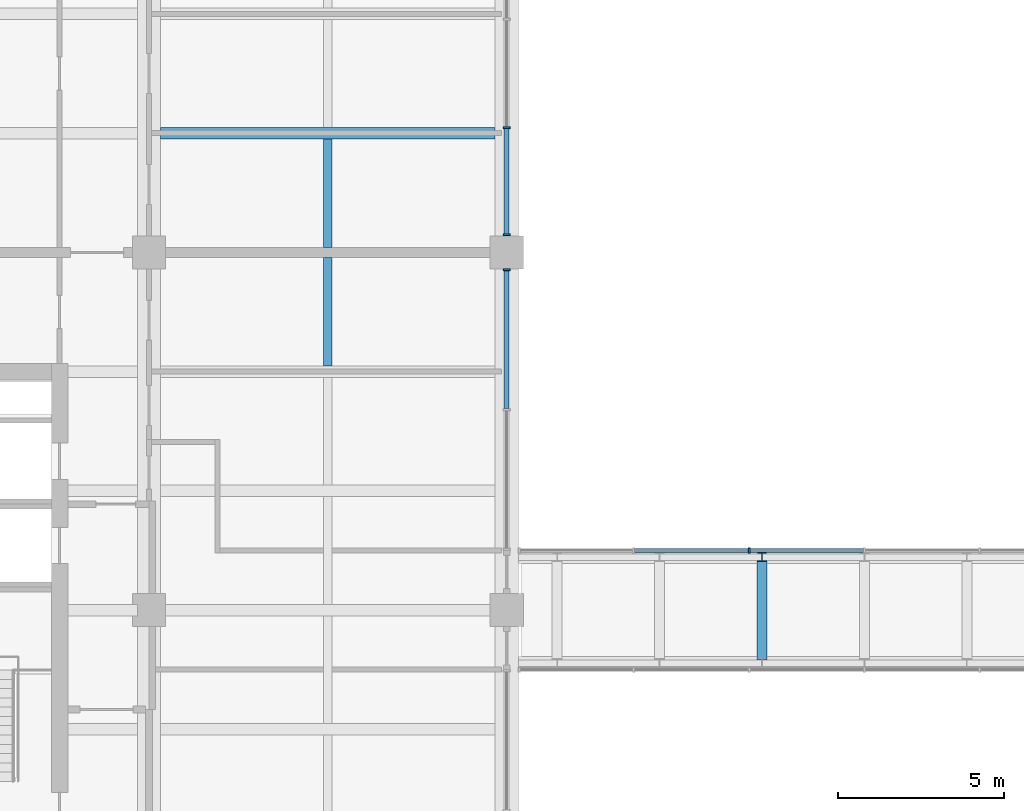
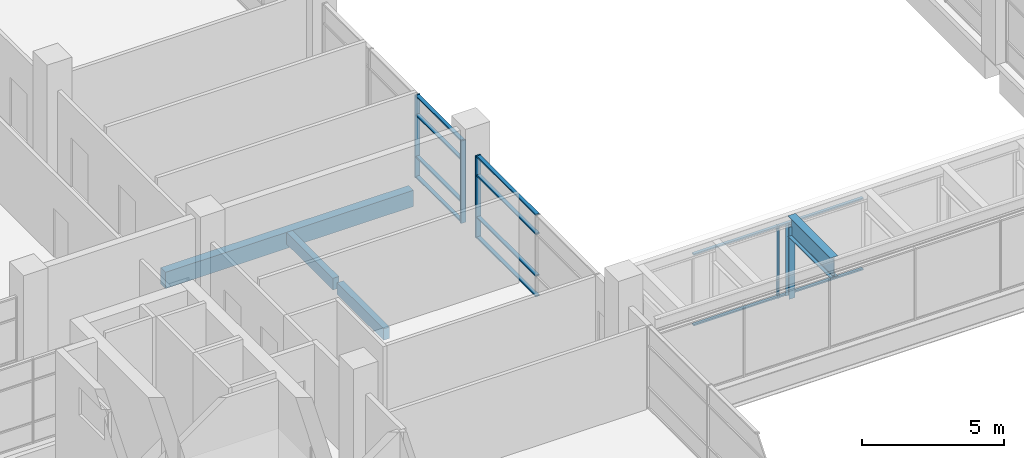
# One storey, part 10 of 35: 18 members, 3 beams, 3 elements without a shape of their own.
"""IFC4 building model written with IfcOpenShell, lengths in metres."""

from ifc_helpers import new_model, si_unit, direction, frame, origin, origin_2d, place, context, subcontext, project, spatial, rectangle, i_section, extrude, material, layer, layer_set, material_profile, profile_set, type_object, element, aggregate, save


model = new_model("IFC4")

# Units and contexts
model_context = context("Model", 3, precision=1e-05, world=origin(), true_north=direction((0.0, 1.0)))
body_context = subcontext(model_context, "Body", "Model", "MODEL_VIEW")
ifc_project = project(units=[si_unit("LENGTHUNIT", "METRE"), si_unit("AREAUNIT", "SQUARE_METRE"), si_unit("VOLUMEUNIT", "CUBIC_METRE"), si_unit("PLANEANGLEUNIT", "RADIAN"), si_unit("MASSUNIT", "GRAM", prefix="KILO")], contexts=[model_context])

# Site, building, storey
site_placement = place(None, origin())
site = spatial("IfcSite", under=ifc_project, at=site_placement, CompositionType="ELEMENT")
building_placement = place(site_placement, origin())
building = spatial("IfcBuilding", under=site, at=building_placement, Name="Basin Gate Institute", CompositionType="ELEMENT")
storey_placement = place(building_placement, frame((0.0, 0.0, 31.800048828125)))
storey = spatial("IfcBuildingStorey", under=building, at=storey_placement, Name="L06", CompositionType="ELEMENT", Elevation=31.800048828125)

# Curtain wall, members
ifc_material_1 = material(Name="Aluminium and glass curtain wall", Category="aluminium")
ifc_layer_1 = layer(ifc_material_1, 0.14990234375)
ifc_layer_set_1 = layer_set([ifc_layer_1], Name="Atrium curtain wall CW81")
curtain_wall_type_1 = type_object("IfcCurtainWallType", Name="Atrium curtain wall CW81", PredefinedType="NOTDEFINED", material=ifc_layer_set_1)
curtain_wall_1_placement = place(storey_placement, origin())
curtain_wall_1 = element("IfcCurtainWall", 1, at=curtain_wall_1_placement, inside=storey, type_object=curtain_wall_type_1, material=ifc_layer_set_1, Name="Bridge glazed enclosure L06 2", PredefinedType="NOTDEFINED")
ifc_material_2 = material(Name="Aluminium mullion", Category="aluminium")
ifc_material_profile_1 = material_profile(ifc_material_2, rectangle(XDim=0.159912109375, YDim=0.06005859375, at=origin_2d()), Name="Atrium mullion MU81 160 x 60")
ifc_profile_set_1 = profile_set([ifc_material_profile_1], Name="Aluminium mullion")
member_type_1 = type_object("IfcMemberType", Name="Atrium mullion MU81", PredefinedType="MULLION", material=ifc_profile_set_1)
member_1_placement = place(storey_placement, frame((86.5166015625, 69.300048828125, 0.0), z_axis=(0.0, 0.0, 1.0), x_axis=(0.0, 1.0, 0.0)))
member_1 = element("IfcMember", 2, at=member_1_placement, type_object=member_type_1, material=ifc_profile_set_1, Name="CW81 mullion 3", PredefinedType="MULLION", context=body_context, shape_type="SweptSolid", body=[
    extrude(rectangle(XDim=0.159912109375, YDim=0.06005859375, at=origin_2d()), origin(), (0.0, 0.0, 1.0), 3.099853515625),
])
ifc_material_3 = material(Name="Aluminium transom", Category="aluminium")
ifc_material_profile_2 = material_profile(ifc_material_3, rectangle(XDim=0.1201171875, YDim=0.06005859375, at=origin_2d()), Name="Atrium transom TR81 120 x 60")
ifc_profile_set_2 = profile_set([ifc_material_profile_2], Name="Aluminium transom")
member_type_2 = type_object("IfcMemberType", Name="Atrium transom TR81", PredefinedType="USERDEFINED", material=ifc_profile_set_2)
member_2_placement = place(storey_placement, frame((83.063232421875, 69.300048828125, 0.030029296875), z_axis=(1.0, 0.0, 0.0), x_axis=(0.0, 1.0, 0.0)))
member_2 = element("IfcMember", 3, at=member_2_placement, type_object=member_type_2, material=ifc_profile_set_2, Name="CW81 transom 2.1", ObjectType="TRANSOM", PredefinedType="USERDEFINED", context=body_context, shape_type="SweptSolid", body=[
    extrude(rectangle(XDim=0.1201171875, YDim=0.06005859375, at=origin_2d()), origin(), (0.0, 0.0, 1.0), 3.42333984375),
])
member_3_placement = place(storey_placement, frame((83.063232421875, 69.300048828125, 3.070068359375), z_axis=(1.0, 0.0, 0.0), x_axis=(0.0, 1.0, 0.0)))
member_3 = element("IfcMember", 4, at=member_3_placement, type_object=member_type_2, material=ifc_profile_set_2, Name="CW81 transom 2.2", ObjectType="TRANSOM", PredefinedType="USERDEFINED", context=body_context, shape_type="SweptSolid", body=[
    extrude(rectangle(XDim=0.1201171875, YDim=0.06005859375, at=origin_2d()), origin(), (0.0, 0.0, 1.0), 3.42333984375),
])
member_4_placement = place(storey_placement, frame((86.546630859375, 69.300048828125, 0.030029296875), z_axis=(1.0, 0.0, 0.0), x_axis=(0.0, 1.0, 0.0)))
member_4 = element("IfcMember", 5, at=member_4_placement, type_object=member_type_2, material=ifc_profile_set_2, Name="CW81 transom 3.1", ObjectType="TRANSOM", PredefinedType="USERDEFINED", context=body_context, shape_type="SweptSolid", body=[
    extrude(rectangle(XDim=0.1201171875, YDim=0.06005859375, at=origin_2d()), origin(), (0.0, 0.0, 1.0), 3.42333984375),
])
member_5_placement = place(storey_placement, frame((86.546630859375, 69.300048828125, 3.070068359375), z_axis=(1.0, 0.0, 0.0), x_axis=(0.0, 1.0, 0.0)))
member_5 = element("IfcMember", 6, at=member_5_placement, type_object=member_type_2, material=ifc_profile_set_2, Name="CW81 transom 3.2", ObjectType="TRANSOM", PredefinedType="USERDEFINED", context=body_context, shape_type="SweptSolid", body=[
    extrude(rectangle(XDim=0.1201171875, YDim=0.06005859375, at=origin_2d()), origin(), (0.0, 0.0, 1.0), 3.42333984375),
])
aggregate(curtain_wall_1, [member_1, member_2, member_3, member_4, member_5])

# Beam
ifc_material_4 = material(Name="Concrete 40 MPa", Category="concrete")
ifc_material_profile_3 = material_profile(ifc_material_4, rectangle(XDim=0.35009765625, YDim=0.699951171875, at=origin_2d()), Name="Beam B1 350 x 700")
ifc_profile_set_3 = profile_set([ifc_material_profile_3], Name="Concrete 40 MPa")
beam_type_1 = type_object("IfcBeamType", Name="Beam B1 R120", PredefinedType="BEAM", material=ifc_profile_set_3)
beam_1_placement = place(storey_placement, frame((68.75, 81.89990234375, -0.60009765625), z_axis=(1.0, 0.0, 0.0), x_axis=(0.0, 1.0, 0.0)))
element("IfcBeam", 7, at=beam_1_placement, inside=storey, type_object=beam_type_1, material=ifc_profile_set_3, Name="BEAM/L06/W/EW/14", PredefinedType="BEAM", context=body_context, shape_type="SweptSolid", body=[
    extrude(rectangle(XDim=0.35009765625, YDim=0.699951171875, at=origin_2d()), origin(), (0.0, 0.0, 1.0), 10.10009765625),
])

# Members
ifc_material_5 = material(Name="Structural steel SN490", Category="steel")
ifc_material_profile_4 = material_profile(ifc_material_5, i_section(OverallWidth=0.25, OverallDepth=0.25, WebThickness=0.009033203125, FlangeThickness=0.013916015625, FilletRadius=0.01611328125, at=origin_2d()), Name="H250x250")
ifc_profile_set_4 = profile_set([ifc_material_profile_4], Name="Structural steel SN490")
member_type_3 = type_object("IfcMemberType", Name="Bridge post TC3 R120", PredefinedType="POST", material=ifc_profile_set_4)
member_6_placement = place(storey_placement, frame((86.908447265625, 69.10009765625, 0.0), z_axis=(0.0, 0.0, 1.0), x_axis=(1.0, 0.0, 0.0)))
element("IfcMember", 8, at=member_6_placement, inside=storey, type_object=member_type_3, material=ifc_profile_set_4, Name="Bridge post R120 L06 2.3", PredefinedType="POST", context=body_context, shape_type="SweptSolid", body=[
    extrude(i_section(OverallWidth=0.25, OverallDepth=0.25, WebThickness=0.009033203125, FlangeThickness=0.013916015625, FilletRadius=0.01611328125, at=origin_2d()), origin(), (0.0, 0.0, 1.0), 3.099853515625),
])
ifc_material_6 = material(Name="Structural steel SN490", Category="steel")
ifc_material_profile_5 = material_profile(ifc_material_6, i_section(OverallWidth=0.300048828125, OverallDepth=0.89990234375, WebThickness=0.01611328125, FlangeThickness=0.028076171875, FilletRadius=0.028076171875, at=origin_2d()), Name="H900x300")
ifc_profile_set_5 = profile_set([ifc_material_profile_5], Name="Structural steel SN490")
member_type_4 = type_object("IfcMemberType", Name="Bridge roof beam SG1 R120", PredefinedType="PURLIN", material=ifc_profile_set_5)
member_7_placement = place(storey_placement, frame((86.908447265625, 66.0, 3.14990234375), z_axis=(0.0, 1.0, 0.0), x_axis=(-1.0, 0.0, 0.0)))
element("IfcMember", 9, at=member_7_placement, inside=storey, type_object=member_type_4, material=ifc_profile_set_5, Name="Bridge roof beam L06 3", PredefinedType="PURLIN", context=body_context, shape_type="SweptSolid", body=[
    extrude(i_section(OverallWidth=0.300048828125, OverallDepth=0.89990234375, WebThickness=0.01611328125, FlangeThickness=0.028076171875, FilletRadius=0.028076171875, at=origin_2d()), origin(), (0.0, 0.0, 1.0), 3.0),
])

# Curtain wall, member
ifc_material_7 = material(Name="Aluminium-framed glazing", Category="aluminium")
ifc_layer_2 = layer(ifc_material_7, 0.199951171875)
ifc_layer_set_2 = layer_set([ifc_layer_2], Name="Atrium curtain wall CW2")
curtain_wall_type_2 = type_object("IfcCurtainWallType", Name="Atrium curtain wall CW2", PredefinedType="NOTDEFINED", material=ifc_layer_set_2)
curtain_wall_2_placement = place(storey_placement, origin())
curtain_wall_2 = element("IfcCurtainWall", 10, at=curtain_wall_2_placement, inside=storey, type_object=curtain_wall_type_2, material=ifc_layer_set_2, Name="Atrium curtain wall W wing atrium bay 4 L06 part 1", PredefinedType="NOTDEFINED")
ifc_material_8 = material(Name="Aluminium", Category="aluminium")
ifc_material_profile_6 = material_profile(ifc_material_8, rectangle(XDim=0.199951171875, YDim=0.06005859375, at=origin_2d()), Name="Mullion MU2 200 x 60")
ifc_profile_set_6 = profile_set([ifc_material_profile_6], Name="Aluminium")
member_type_5 = type_object("IfcMemberType", Name="Mullion MU2", PredefinedType="MULLION", material=ifc_profile_set_6)
member_8_placement = place(storey_placement, frame((79.199951171875, 77.77001953125, 0.0), z_axis=(0.0, 0.0, 1.0), x_axis=(-1.0, 0.0, 0.0)))
member_8 = element("IfcMember", 11, at=member_8_placement, type_object=member_type_5, material=ifc_profile_set_6, Name="CW2 mullion 3", PredefinedType="MULLION", context=body_context, shape_type="SweptSolid", body=[
    extrude(rectangle(XDim=0.199951171875, YDim=0.06005859375, at=origin_2d()), origin(), (0.0, 0.0, 1.0), 3.550048828125),
])

# Curtain wall, members
curtain_wall_3_placement = place(storey_placement, origin())
curtain_wall_3 = element("IfcCurtainWall", 12, at=curtain_wall_3_placement, inside=storey, type_object=curtain_wall_type_2, material=ifc_layer_set_2, Name="Atrium curtain wall W wing atrium bay 5 L06", PredefinedType="NOTDEFINED")
member_9_placement = place(storey_placement, frame((79.199951171875, 78.830078125, 0.0), z_axis=(0.0, 0.0, 1.0), x_axis=(-1.0, 0.0, 0.0)))
member_9 = element("IfcMember", 13, at=member_9_placement, type_object=member_type_5, material=ifc_profile_set_6, Name="CW2 mullion 1", PredefinedType="MULLION", context=body_context, shape_type="SweptSolid", body=[
    extrude(rectangle(XDim=0.199951171875, YDim=0.06005859375, at=origin_2d()), origin(), (0.0, 0.0, 1.0), 3.550048828125),
])
member_10_placement = place(storey_placement, frame((79.199951171875, 82.066650390625, 0.0), z_axis=(0.0, 0.0, 1.0), x_axis=(-1.0, 0.0, 0.0)))
member_10 = element("IfcMember", 14, at=member_10_placement, type_object=member_type_5, material=ifc_profile_set_6, Name="CW2 mullion 2", PredefinedType="MULLION", context=body_context, shape_type="SweptSolid", body=[
    extrude(rectangle(XDim=0.199951171875, YDim=0.06005859375, at=origin_2d()), origin(), (0.0, 0.0, 1.0), 3.550048828125),
])

# Beams
ifc_material_9 = material(Name="Concrete 40 MPa", Category="concrete")
ifc_material_profile_7 = material_profile(ifc_material_9, rectangle(XDim=0.25, YDim=0.5, at=origin_2d()), Name="Rib R1 250 x 500")
ifc_profile_set_7 = profile_set([ifc_material_profile_7], Name="Concrete 40 MPa")
beam_type_2 = type_object("IfcBeamType", Name="Rib R1 R120", PredefinedType="JOIST", material=ifc_profile_set_7)
beam_2_placement = place(storey_placement, frame((73.800048828125, 74.875, -0.5), z_axis=(0.0, 1.0, 0.0), x_axis=(-1.0, 0.0, 0.0)))
element("IfcBeam", 15, at=beam_2_placement, inside=storey, type_object=beam_type_2, material=ifc_profile_set_7, Name="BEAM/L06/W/RIB/12", PredefinedType="JOIST", context=body_context, shape_type="SweptSolid", body=[
    extrude(rectangle(XDim=0.25, YDim=0.5, at=origin_2d()), origin(), (0.0, 0.0, 1.0), 3.27490234375),
])
beam_3_placement = place(storey_placement, frame((73.800048828125, 78.449951171875, -0.5), z_axis=(0.0, 1.0, 0.0), x_axis=(-1.0, 0.0, 0.0)))
element("IfcBeam", 16, at=beam_3_placement, inside=storey, type_object=beam_type_2, material=ifc_profile_set_7, Name="BEAM/L06/W/RIB/13", PredefinedType="JOIST", context=body_context, shape_type="SweptSolid", body=[
    extrude(rectangle(XDim=0.25, YDim=0.5, at=origin_2d()), origin(), (0.0, 0.0, 1.0), 3.275146484375),
])

# Member
ifc_material_10 = material(Name="Aluminium", Category="aluminium")
ifc_material_profile_8 = material_profile(ifc_material_10, rectangle(XDim=0.14990234375, YDim=0.06005859375, at=origin_2d()), Name="Transom TR2 150 x 60")
ifc_profile_set_8 = profile_set([ifc_material_profile_8], Name="Aluminium")
member_type_6 = type_object("IfcMemberType", Name="Transom TR2", PredefinedType="USERDEFINED", material=ifc_profile_set_8)
member_11_placement = place(storey_placement, frame((79.199951171875, 73.580078125, 0.030029296875), z_axis=(0.0, 1.0, 0.0), x_axis=(-1.0, 0.0, 0.0)))
member_11 = element("IfcMember", 17, at=member_11_placement, type_object=member_type_6, material=ifc_profile_set_8, Name="CW2 transom 2.1", ObjectType="TRANSOM", PredefinedType="USERDEFINED", context=body_context, shape_type="SweptSolid", body=[
    extrude(rectangle(XDim=0.14990234375, YDim=0.06005859375, at=origin_2d()), origin(), (0.0, 0.0, 1.0), 4.159912109375),
])

member_12_placement = place(storey_placement, frame((79.199951171875, 73.580078125, 0.89990234375), z_axis=(0.0, 1.0, 0.0), x_axis=(-1.0, 0.0, 0.0)))
member_12 = element("IfcMember", 18, at=member_12_placement, type_object=member_type_6, material=ifc_profile_set_8, Name="CW2 transom 2.2", ObjectType="TRANSOM", PredefinedType="USERDEFINED", context=body_context, shape_type="SweptSolid", body=[
    extrude(rectangle(XDim=0.14990234375, YDim=0.06005859375, at=origin_2d()), origin(), (0.0, 0.0, 1.0), 4.159912109375),
])

member_13_placement = place(storey_placement, frame((79.199951171875, 73.580078125, 2.699951171875), z_axis=(0.0, 1.0, 0.0), x_axis=(-1.0, 0.0, 0.0)))
member_13 = element("IfcMember", 19, at=member_13_placement, type_object=member_type_6, material=ifc_profile_set_8, Name="CW2 transom 2.3", ObjectType="TRANSOM", PredefinedType="USERDEFINED", context=body_context, shape_type="SweptSolid", body=[
    extrude(rectangle(XDim=0.14990234375, YDim=0.06005859375, at=origin_2d()), origin(), (0.0, 0.0, 1.0), 4.159912109375),
])

member_14_placement = place(storey_placement, frame((79.199951171875, 73.580078125, 3.52001953125), z_axis=(0.0, 1.0, 0.0), x_axis=(-1.0, 0.0, 0.0)))
member_14 = element("IfcMember", 20, at=member_14_placement, type_object=member_type_6, material=ifc_profile_set_8, Name="CW2 transom 2.4", ObjectType="TRANSOM", PredefinedType="USERDEFINED", context=body_context, shape_type="SweptSolid", body=[
    extrude(rectangle(XDim=0.14990234375, YDim=0.06005859375, at=origin_2d()), origin(), (0.0, 0.0, 1.0), 4.159912109375),
])

aggregate(curtain_wall_2, [member_8, member_11, member_12, member_13, member_14])

member_15_placement = place(storey_placement, frame((79.199951171875, 78.860107421875, 0.030029296875), z_axis=(0.0, 1.0, 0.0), x_axis=(-1.0, 0.0, 0.0)))
member_15 = element("IfcMember", 21, at=member_15_placement, type_object=member_type_6, material=ifc_profile_set_8, Name="CW2 transom 1.1", ObjectType="TRANSOM", PredefinedType="USERDEFINED", context=body_context, shape_type="SweptSolid", body=[
    extrude(rectangle(XDim=0.14990234375, YDim=0.06005859375, at=origin_2d()), origin(), (0.0, 0.0, 1.0), 3.176513671875),
])

member_16_placement = place(storey_placement, frame((79.199951171875, 78.860107421875, 0.89990234375), z_axis=(0.0, 1.0, 0.0), x_axis=(-1.0, 0.0, 0.0)))
member_16 = element("IfcMember", 22, at=member_16_placement, type_object=member_type_6, material=ifc_profile_set_8, Name="CW2 transom 1.2", ObjectType="TRANSOM", PredefinedType="USERDEFINED", context=body_context, shape_type="SweptSolid", body=[
    extrude(rectangle(XDim=0.14990234375, YDim=0.06005859375, at=origin_2d()), origin(), (0.0, 0.0, 1.0), 3.176513671875),
])

member_17_placement = place(storey_placement, frame((79.199951171875, 78.860107421875, 2.699951171875), z_axis=(0.0, 1.0, 0.0), x_axis=(-1.0, 0.0, 0.0)))
member_17 = element("IfcMember", 23, at=member_17_placement, type_object=member_type_6, material=ifc_profile_set_8, Name="CW2 transom 1.3", ObjectType="TRANSOM", PredefinedType="USERDEFINED", context=body_context, shape_type="SweptSolid", body=[
    extrude(rectangle(XDim=0.14990234375, YDim=0.06005859375, at=origin_2d()), origin(), (0.0, 0.0, 1.0), 3.176513671875),
])

member_18_placement = place(storey_placement, frame((79.199951171875, 78.860107421875, 3.52001953125), z_axis=(0.0, 1.0, 0.0), x_axis=(-1.0, 0.0, 0.0)))
member_18 = element("IfcMember", 24, at=member_18_placement, type_object=member_type_6, material=ifc_profile_set_8, Name="CW2 transom 1.4", ObjectType="TRANSOM", PredefinedType="USERDEFINED", context=body_context, shape_type="SweptSolid", body=[
    extrude(rectangle(XDim=0.14990234375, YDim=0.06005859375, at=origin_2d()), origin(), (0.0, 0.0, 1.0), 3.176513671875),
])

aggregate(curtain_wall_3, [member_9, member_10, member_15, member_16, member_17, member_18])

save(model, "model.ifc")
